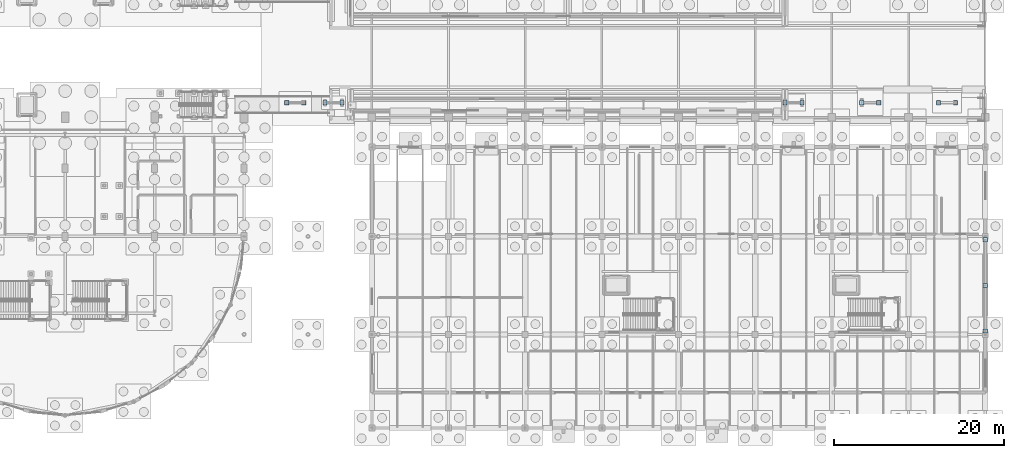
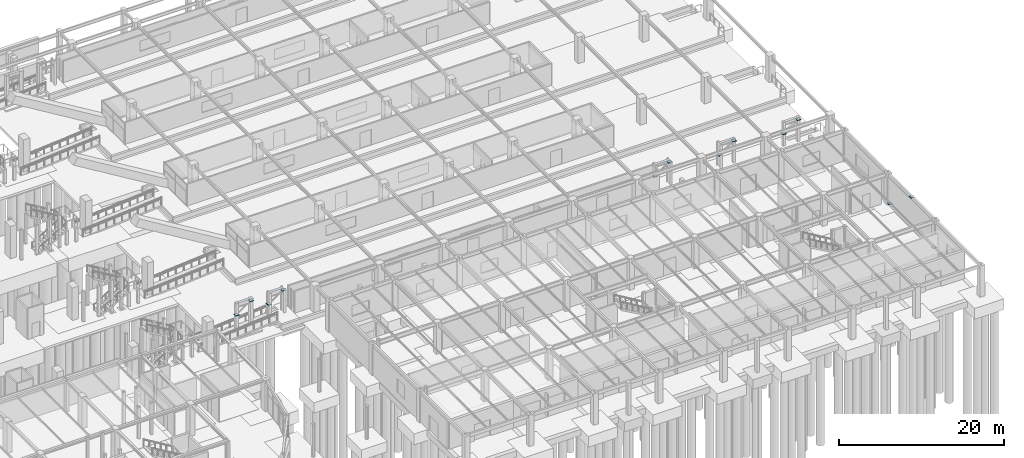
# One storey, part 97 of 160: 13 plates.
"""IFC4 building model written with IfcOpenShell, lengths in metres."""

import ifcopenshell
import ifcopenshell.guid

model = None  # the IFC model being written
_history = None  # IfcOwnerHistory: only IFC2X3 demands one
_inside = {}  # id of a spatial element -> (the spatial element, [elements in it])
_under = {}  # id of a project, library or spatial element -> (it, [spatial elements below it])
_declared = {}  # id of a project -> (the project, [libraries it declares])
_typed = {}  # id of a type object -> (the type object, [elements of that type])
_made_of = {}  # id of a material, layer set ... -> (it, [elements and type objects made of it])


def new_model(schema):
    """Start an empty IFC model of exactly this schema.

    Asked for "IFC4X3", IfcOpenShell would pick the latest addendum, in which some entities
    have other attributes; the version numbers below select the first issue.
    IFC2X3 requires an IfcOwnerHistory on every rooted entity: one is made here for all.
    """
    global model, _history
    if schema == "IFC4X3":
        model = ifcopenshell.file(schema_version=(4, 3, 0, 0))
    else:
        model = ifcopenshell.file(schema=schema)
    _inside.clear()
    _under.clear()
    _declared.clear()
    _typed.clear()
    _made_of.clear()
    _history = None
    if model.schema == "IFC2X3":
        org = make("IfcOrganization", Name="unknown")
        user = make(
            "IfcPersonAndOrganization",
            ThePerson=make("IfcPerson", FamilyName="unknown"),
            TheOrganization=org,
        )
        app = make(
            "IfcApplication",
            ApplicationDeveloper=org,
            Version="unknown",
            ApplicationFullName="unknown",
            ApplicationIdentifier="unknown",
        )
        _history = make(
            "IfcOwnerHistory",
            OwningUser=user,
            OwningApplication=app,
            ChangeAction="ADDED",
            CreationDate=0,
        )
    return model


def make(cls, **values):
    """One entity of the class cls with the attributes given. An attribute that is None is left unset."""
    return model.create_entity(
        cls, **{name: value for name, value in values.items() if value is not None}
    )


def rooted(cls, **values):
    """An entity with a GlobalId (a new one), such as an element, a storey or a relation."""
    return make(cls, GlobalId=ifcopenshell.guid.new(), OwnerHistory=_history, **values)


def si_unit(unit_type, name, prefix=None):
    """IfcSIUnit, for example si_unit("LENGTHUNIT", "METRE", prefix="MILLI")."""
    return make("IfcSIUnit", UnitType=unit_type, Prefix=prefix, Name=name)


def assignment(units):
    """IfcUnitAssignment: the units of a project."""
    return None if units is None else make("IfcUnitAssignment", Units=units)


def point(xyz):
    """IfcCartesianPoint."""
    return None if xyz is None else make("IfcCartesianPoint", Coordinates=xyz)


def direction(xyz):
    """IfcDirection."""
    return None if xyz is None else make("IfcDirection", DirectionRatios=xyz)


def frame(location, z_axis=None, x_axis=None):
    """IfcAxis2Placement3D, a coordinate frame: its origin and axes. An axis left out is left unset."""
    return make(
        "IfcAxis2Placement3D",
        Location=point(location),
        Axis=direction(z_axis),
        RefDirection=direction(x_axis),
    )


def frame_2d(location, x_axis=None):
    """IfcAxis2Placement2D, a coordinate frame in the plane: its origin and x axis."""
    return make(
        "IfcAxis2Placement2D", Location=point(location), RefDirection=direction(x_axis)
    )


def origin():
    """The frame at (0, 0, 0) with its axes left unset."""
    return frame((0.0, 0.0, 0.0))


def origin_2d():
    """The frame at (0, 0) in the plane with its x axis left unset."""
    return frame_2d((0.0, 0.0))


def place(relative_to, where):
    """IfcLocalPlacement: puts the frame where relative to a parent placement (None: the world)."""
    return make(
        "IfcLocalPlacement", PlacementRelTo=relative_to, RelativePlacement=where
    )


def context(
    kind, dimensions, precision=None, world=None, true_north=None, identifier=None
):
    """IfcGeometricRepresentationContext, for example the 3D "Model" context."""
    return make(
        "IfcGeometricRepresentationContext",
        ContextIdentifier=identifier,
        ContextType=kind,
        CoordinateSpaceDimension=dimensions,
        Precision=precision,
        WorldCoordinateSystem=world,
        TrueNorth=true_north,
    )


def subcontext(parent, identifier, kind, view, scale=None):
    """IfcGeometricRepresentationSubContext, for example "Body" below "Model"."""
    return make(
        "IfcGeometricRepresentationSubContext",
        ContextIdentifier=identifier,
        ContextType=kind,
        ParentContext=parent,
        TargetScale=scale,
        TargetView=view,
    )


def project(units=None, contexts=None):
    """IfcProject with its units and contexts."""
    return rooted(
        "IfcProject",
        Name="project",
        RepresentationContexts=contexts,
        UnitsInContext=assignment(units),
    )


def spatial(cls, under=None, at=None, **own):
    """A site, building, storey or space (cls), placed at a placement, below another one or the project."""
    s = rooted(cls, ObjectPlacement=at, **own)
    if under is not None:
        _under.setdefault(under.id(), (under, []))[1].append(s)
    return s


def profile(cls, at=None, kind="AREA", **sizes):
    """A parametric profile (cls). Its sizes go by their IFC names, for example OverallWidth=200.0."""
    return make(cls, ProfileType=kind, Position=at, **sizes)


def rectangle(**sizes):
    """IfcRectangleProfileDef."""
    return profile("IfcRectangleProfileDef", **sizes)


def extrude(swept, where, along, depth):
    """IfcExtrudedAreaSolid: the profile swept, set in the frame where, extruded along a direction by depth."""
    return make(
        "IfcExtrudedAreaSolid",
        SweptArea=swept,
        Position=where,
        ExtrudedDirection=direction(along),
        Depth=depth,
    )


def shape(context_of_items, identifier, shape_type, items):
    """IfcShapeRepresentation: the items that make up one representation, for example the "Body"."""
    return make(
        "IfcShapeRepresentation",
        ContextOfItems=context_of_items,
        RepresentationIdentifier=identifier,
        RepresentationType=shape_type,
        Items=items,
    )


def material(Name=None, Category=None):
    """IfcMaterial."""
    return make("IfcMaterial", Name=Name, Category=Category)


def layer(
    of_material, thickness, ventilated=None, Name=None, Category=None, Priority=None
):
    """IfcMaterialLayer: one layer of a wall or slab, of a material (None: an air gap)."""
    return make(
        "IfcMaterialLayer",
        Material=of_material,
        LayerThickness=thickness,
        IsVentilated=ventilated,
        Name=Name,
        Category=Category,
        Priority=Priority,
    )


def layer_set(layers, Name=None):
    """IfcMaterialLayerSet."""
    return make("IfcMaterialLayerSet", MaterialLayers=layers, LayerSetName=Name)


def made_of(thing, what):
    """Note that an element or type object is made of a material, layer set ...; save() writes the relation."""
    if what is not None:
        _made_of.setdefault(what.id(), (what, []))[1].append(thing)
    return thing


def type_object(cls, material=None, **own):
    """A type object (cls), such as IfcWallType, which elements share."""
    return made_of(rooted(cls, **own), material)


def element(
    cls,
    number,
    at=None,
    inside=None,
    cuts=None,
    type_object=None,
    material=None,
    context=None,
    identifier="Body",
    shape_type=None,
    held_by="IfcProductDefinitionShape",
    body=None,
    shapes=None,
    **own,
):
    """One element of the class cls, such as IfcWall. Its Tag is "e" and its number.

    at: its placement. inside: the storey or other place that contains it. cuts: it is an
    opening in that element (IfcRelVoidsElement). A single representation is given by context,
    identifier, shape_type and body (its items); several are given by shapes. held_by: the class
    of the entity that holds the representations. save() writes the other relations.
    """
    e = rooted(cls, Tag="e%d" % number, ObjectPlacement=at, **own)
    if body is not None:
        shapes = [shape(context, identifier, shape_type, body)]
    if shapes is not None:
        e.Representation = make(held_by, Representations=shapes)
    if inside is not None:
        _inside.setdefault(inside.id(), (inside, []))[1].append(e)
    if cuts is not None:
        rooted(
            "IfcRelVoidsElement", RelatingBuildingElement=cuts, RelatedOpeningElement=e
        )
    if type_object is not None:
        _typed.setdefault(type_object.id(), (type_object, []))[1].append(e)
    return made_of(e, material)


def aggregate(whole, parts):
    """IfcRelAggregates: a whole, such as a stair, and the parts it consists of."""
    return rooted("IfcRelAggregates", RelatingObject=whole, RelatedObjects=parts)


def save(model, path):
    """Write the relations noted so far, then the file.

    IfcRelAggregates (storeys below a building ...), IfcRelContainedInSpatialStructure (elements
    in a storey), IfcRelDefinesByType, IfcRelAssociatesMaterial and IfcRelDeclares: one each for
    every whole, place, type object, material and project.
    """
    for whole, parts in _under.values():
        aggregate(whole, parts)
    for where, things in _inside.values():
        rooted(
            "IfcRelContainedInSpatialStructure",
            RelatedElements=things,
            RelatingStructure=where,
        )
    for kind, things in _typed.values():
        rooted("IfcRelDefinesByType", RelatedObjects=things, RelatingType=kind)
    for what, things in _made_of.values():
        rooted("IfcRelAssociatesMaterial", RelatedObjects=things, RelatingMaterial=what)
    for by, libraries in _declared.values():
        rooted("IfcRelDeclares", RelatingContext=by, RelatedDefinitions=libraries)
    model.write(path)


model = new_model("IFC4")

# Units and contexts
model_context = context("Model", 3, precision=1e-05, world=origin(), true_north=direction((0.0, 1.0)))
body_context = subcontext(model_context, "Body", "Model", "MODEL_VIEW")
ifc_project = project(units=[si_unit("LENGTHUNIT", "METRE"), si_unit("AREAUNIT", "SQUARE_METRE"), si_unit("VOLUMEUNIT", "CUBIC_METRE"), si_unit("PLANEANGLEUNIT", "RADIAN"), si_unit("MASSUNIT", "GRAM", prefix="KILO")], contexts=[model_context])

# Site, building, storey
site_placement = place(None, origin())
site = spatial("IfcSite", under=ifc_project, at=site_placement, CompositionType="ELEMENT")
building_placement = place(site_placement, origin())
building = spatial("IfcBuilding", under=site, at=building_placement, Name="Marlcrest Central Station", CompositionType="ELEMENT")
storey_placement = place(building_placement, origin())
storey = spatial("IfcBuildingStorey", under=building, at=storey_placement, Name="L00", CompositionType="ELEMENT", Elevation=0.0)

# Plates
ifc_material = material(Name="Steel S355", Category="steel")
ifc_layer = layer(ifc_material, 0.02001953125, Name="GP-03")
ifc_layer_set = layer_set([ifc_layer], Name="Steel S355")
plate_type = type_object("IfcPlateType", Name="GP-03", PredefinedType="USERDEFINED", material=ifc_layer_set)
for number, where, z_axis, x_axis, name in (
    (1, (216.0, 11.39990234375, 0.18994140625), (0.0, 0.0, 1.0), (1.0, 0.0, 0.0), "plt-cap-00059"),
    (2, (216.0, 16.75, 4.39501953125), (0.0, 0.0, 1.0), (1.0, 0.0, 0.0), "plt-cap-00060"),
    (3, (216.0, 22.10009765625, 0.18994140625), (0.0, 0.0, 1.0), (1.0, 0.0, 0.0), "plt-cap-00061"),
    (4, (138.5, 38.199951171875, 2.68994140625), (0.0, 0.0, 1.0), (1.0, 0.0, 0.0), "plt-cap-01382"),
    (5, (140.5, 38.199951171875, 4.090087890625), (0.0, 0.0, 1.0), (1.0, 0.0, 0.0), "plt-cap-01383"),
    (6, (192.5, 38.199951171875, 2.68994140625), (0.0, 0.0, 1.0), (1.0, 0.0, 0.0), "plt-cap-01384"),
    (7, (194.5, 38.199951171875, 4.090087890625), (0.0, 0.0, 1.0), (1.0, 0.0, 0.0), "plt-cap-01385"),
    (8, (201.5, 38.199951171875, 2.68994140625), (0.0, 0.0, 1.0), (1.0, 0.0, 0.0), "plt-cap-01386"),
    (9, (203.5, 38.199951171875, 4.090087890625), (0.0, 0.0, 1.0), (1.0, 0.0, 0.0), "plt-cap-01387"),
    (10, (210.5, 38.199951171875, 2.68994140625), (0.0, 0.0, 1.0), (1.0, 0.0, 0.0), "plt-cap-01388"),
    (11, (212.5, 38.199951171875, 4.090087890625), (0.0, 0.0, 1.0), (1.0, 0.0, 0.0), "plt-cap-01389"),
    (12, (134.0, 38.199951171875, 2.68994140625), (0.0, 0.0, 1.0), (1.0, 0.0, 0.0), "plt-cap-01390"),
    (13, (136.0, 38.199951171875, 4.090087890625), (0.0, 0.0, 1.0), (1.0, 0.0, 0.0), "plt-cap-01391"),
):
    element("IfcPlate", number, at=place(storey_placement, frame(where, z_axis=z_axis, x_axis=x_axis)), inside=storey, type_object=plate_type, Name=name, ObjectType="GUSSET_PLATE", PredefinedType="USERDEFINED", context=body_context, shape_type="SweptSolid", body=[
        extrude(rectangle(XDim=0.5, YDim=0.5, at=origin_2d()), origin(), (0.0, 0.0, 1.0), 0.02001953125),
    ])

save(model, "model.ifc")
